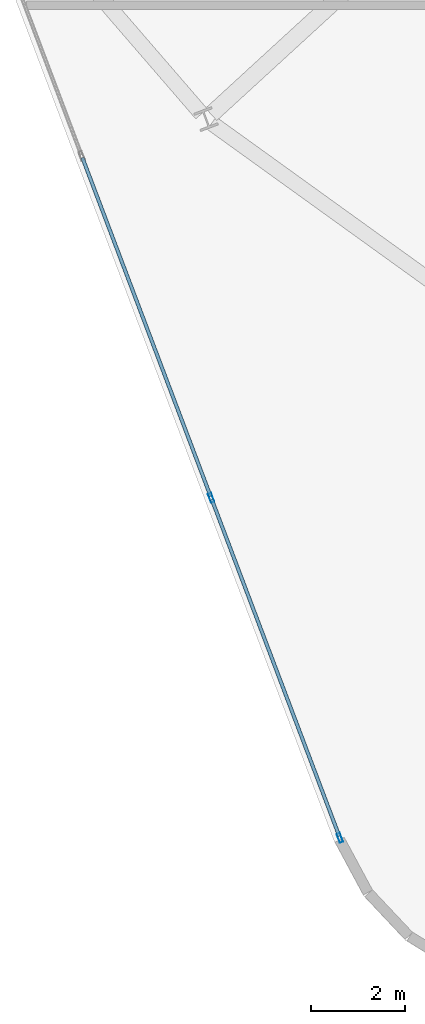
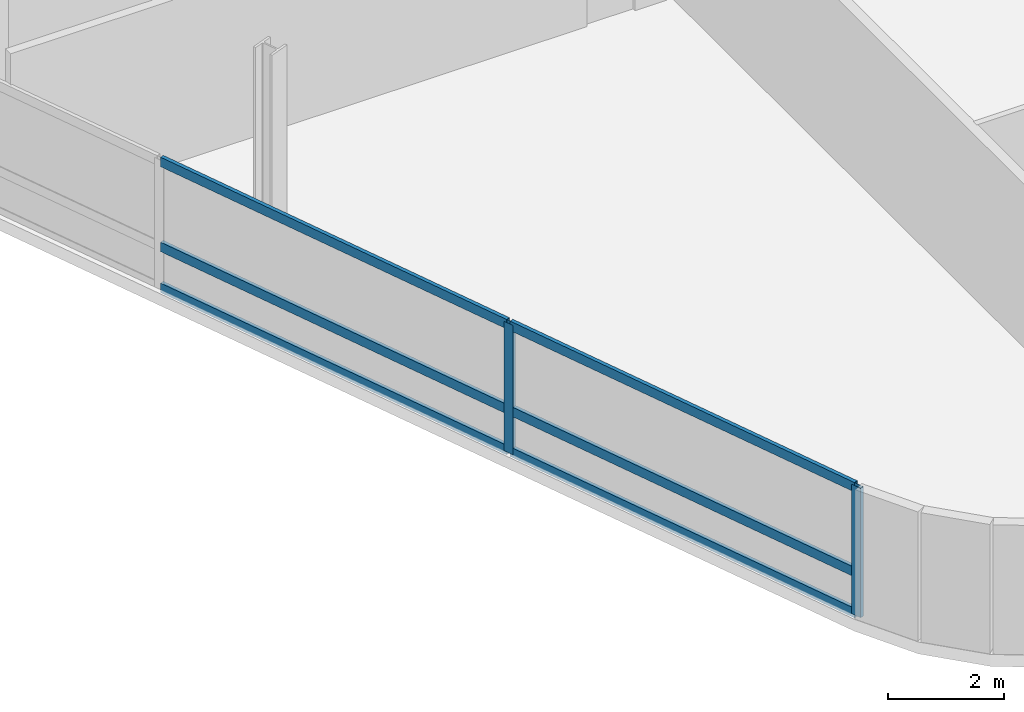
# One storey, part 3 of 20: 8 members, 1 element without a shape of its own.
"""IFC4 building model written with IfcOpenShell, lengths in metres."""

from ifc_helpers import new_model, si_unit, direction, frame, origin, origin_2d, place, context, subcontext, project, spatial, hollow_rectangle, extrude, material, layer, layer_set, material_profile, profile_set, type_object, element, aggregate, save


model = new_model("IFC4")

# Units and contexts
model_context = context("Model", 3, precision=1e-05, world=origin(), true_north=direction((0.0, 1.0)))
body_context = subcontext(model_context, "Body", "Model", "MODEL_VIEW")
ifc_project = project(units=[si_unit("LENGTHUNIT", "METRE"), si_unit("AREAUNIT", "SQUARE_METRE"), si_unit("VOLUMEUNIT", "CUBIC_METRE"), si_unit("PLANEANGLEUNIT", "RADIAN"), si_unit("MASSUNIT", "GRAM", prefix="KILO")], contexts=[model_context])

# Site, building, storey
site_placement = place(None, origin())
site = spatial("IfcSite", under=ifc_project, at=site_placement, CompositionType="ELEMENT")
building_placement = place(site_placement, origin())
building = spatial("IfcBuilding", under=site, at=building_placement, Name="Varnelok Gate Tower", CompositionType="ELEMENT")
storey_placement = place(building_placement, frame((0.0, 0.0, 216.39990234375)))
storey = spatial("IfcBuildingStorey", under=building, at=storey_placement, Name="L55", CompositionType="ELEMENT", Elevation=216.39990234375)

# Curtain wall, members
ifc_material = material(Name="Anodized Aluminum Alloy 6063-T6", Category="aluminium")
ifc_layer = layer(ifc_material, 0.179931640625)
ifc_layer_set = layer_set([ifc_layer], Name="Anodized Aluminum Alloy 6063-T6")
curtain_wall_type = type_object("IfcCurtainWallType", Name="CW4-RESIDENCE-VISION", PredefinedType="USERDEFINED", material=ifc_layer_set)
curtain_wall_placement = place(storey_placement, origin())
curtain_wall = element("IfcCurtainWall", 1, at=curtain_wall_placement, inside=storey, type_object=curtain_wall_type, Name="L55 West End Vision Curtain Wall", ObjectType="UNITISED CURTAIN WALL", PredefinedType="USERDEFINED")
ifc_material_profile_1 = material_profile(ifc_material, hollow_rectangle(XDim=0.074951171875, YDim=0.199951171875, WallThickness=0.00390625, at=origin_2d()), Name="ALU200X75X4")
ifc_profile_set_1 = profile_set([ifc_material_profile_1], Name="Anodized Aluminum Alloy 6063-T6")
member_type_1 = type_object("IfcMemberType", Name="CW-MULL-200", PredefinedType="MULLION", material=ifc_profile_set_1)
member_1_placement = place(storey_placement, frame((13.88525390625, -0.92431640625, 0.0), z_axis=(0.0, 0.0, 1.0), x_axis=(-0.935221557832, -0.354063042079, 0.0)))
member_1 = element("IfcMember", 2, at=member_1_placement, type_object=member_type_1, Name="CW4 mullion 1", PredefinedType="MULLION", context=body_context, shape_type="SweptSolid", body=[
    extrude(hollow_rectangle(XDim=0.074951171875, YDim=0.199951171875, WallThickness=0.00390625, at=origin_2d()), origin(), (0.0, 0.0, 1.0), 2.72998046875),
])
member_2_placement = place(storey_placement, frame((11.13671875, 6.33544921875, 0.0), z_axis=(0.0, 0.0, 1.0), x_axis=(-0.935221557832, -0.354063042079, 0.0)))
member_2 = element("IfcMember", 3, at=member_2_placement, type_object=member_type_1, Name="CW4 mullion 2", PredefinedType="MULLION", context=body_context, shape_type="SweptSolid", body=[
    extrude(hollow_rectangle(XDim=0.074951171875, YDim=0.199951171875, WallThickness=0.00390625, at=origin_2d()), origin(), (0.0, 0.0, 1.0), 2.72998046875),
])
ifc_material_profile_2 = material_profile(ifc_material, hollow_rectangle(XDim=0.074951171875, YDim=0.199951171875, WallThickness=0.00390625, at=origin_2d()), Name="ALU200X75X4")
ifc_profile_set_2 = profile_set([ifc_material_profile_2], Name="Anodized Aluminum Alloy 6063-T6")
member_type_2 = type_object("IfcMemberType", Name="CW-TRAN-200", PredefinedType="USERDEFINED", material=ifc_profile_set_2)
member_3_placement = place(storey_placement, frame((13.871826171875, -0.88916015625, 0.03759765625), z_axis=(-0.354045264669, 0.935228287941, 0.0), x_axis=(-0.935228287941, -0.354045264669, 0.0)))
member_3 = element("IfcMember", 4, at=member_3_placement, type_object=member_type_2, Name="CW4 transom 1.1", ObjectType="TRANSOM", PredefinedType="USERDEFINED", context=body_context, shape_type="SweptSolid", body=[
    extrude(hollow_rectangle(XDim=0.074951171875, YDim=0.199951171875, WallThickness=0.00390625, at=origin_2d()), origin(), (0.0, 0.0, 1.0), 7.687255859375),
])
member_4_placement = place(storey_placement, frame((13.871826171875, -0.88916015625, 0.900146484375), z_axis=(-0.354045264669, 0.935228287941, 0.0), x_axis=(-0.935228287941, -0.354045264669, 0.0)))
member_4 = element("IfcMember", 5, at=member_4_placement, type_object=member_type_2, Name="CW4 transom 1.2", ObjectType="TRANSOM", PredefinedType="USERDEFINED", context=body_context, shape_type="SweptSolid", body=[
    extrude(hollow_rectangle(XDim=0.074951171875, YDim=0.199951171875, WallThickness=0.00390625, at=origin_2d()), origin(), (0.0, 0.0, 1.0), 7.687255859375),
])
member_5_placement = place(storey_placement, frame((13.871826171875, -0.88916015625, 2.692626953125), z_axis=(-0.354045264669, 0.935228287941, 0.0), x_axis=(-0.935228287941, -0.354045264669, 0.0)))
member_5 = element("IfcMember", 6, at=member_5_placement, type_object=member_type_2, Name="CW4 transom 1.3", ObjectType="TRANSOM", PredefinedType="USERDEFINED", context=body_context, shape_type="SweptSolid", body=[
    extrude(hollow_rectangle(XDim=0.074951171875, YDim=0.199951171875, WallThickness=0.00390625, at=origin_2d()), origin(), (0.0, 0.0, 1.0), 7.687255859375),
])
member_6_placement = place(storey_placement, frame((11.12353515625, 6.370361328125, 0.03759765625), z_axis=(-0.354058714128, 0.935223196328, 0.0), x_axis=(-0.935223196328, -0.354058714128, 0.0)))
member_6 = element("IfcMember", 7, at=member_6_placement, type_object=member_type_2, Name="CW4 transom 2.1", ObjectType="TRANSOM", PredefinedType="USERDEFINED", context=body_context, shape_type="SweptSolid", body=[
    extrude(hollow_rectangle(XDim=0.074951171875, YDim=0.199951171875, WallThickness=0.00390625, at=origin_2d()), origin(), (0.0, 0.0, 1.0), 7.72509765625),
])
member_7_placement = place(storey_placement, frame((11.12353515625, 6.370361328125, 0.900146484375), z_axis=(-0.354058714128, 0.935223196328, 0.0), x_axis=(-0.935223196328, -0.354058714128, 0.0)))
member_7 = element("IfcMember", 8, at=member_7_placement, type_object=member_type_2, Name="CW4 transom 2.2", ObjectType="TRANSOM", PredefinedType="USERDEFINED", context=body_context, shape_type="SweptSolid", body=[
    extrude(hollow_rectangle(XDim=0.074951171875, YDim=0.199951171875, WallThickness=0.00390625, at=origin_2d()), origin(), (0.0, 0.0, 1.0), 7.72509765625),
])
member_8_placement = place(storey_placement, frame((11.12353515625, 6.370361328125, 2.692626953125), z_axis=(-0.354058714128, 0.935223196328, 0.0), x_axis=(-0.935223196328, -0.354058714128, 0.0)))
member_8 = element("IfcMember", 9, at=member_8_placement, type_object=member_type_2, Name="CW4 transom 2.3", ObjectType="TRANSOM", PredefinedType="USERDEFINED", context=body_context, shape_type="SweptSolid", body=[
    extrude(hollow_rectangle(XDim=0.074951171875, YDim=0.199951171875, WallThickness=0.00390625, at=origin_2d()), origin(), (0.0, 0.0, 1.0), 7.72509765625),
])
aggregate(curtain_wall, [member_1, member_2, member_3, member_4, member_5, member_6, member_7, member_8])

save(model, "model.ifc")
